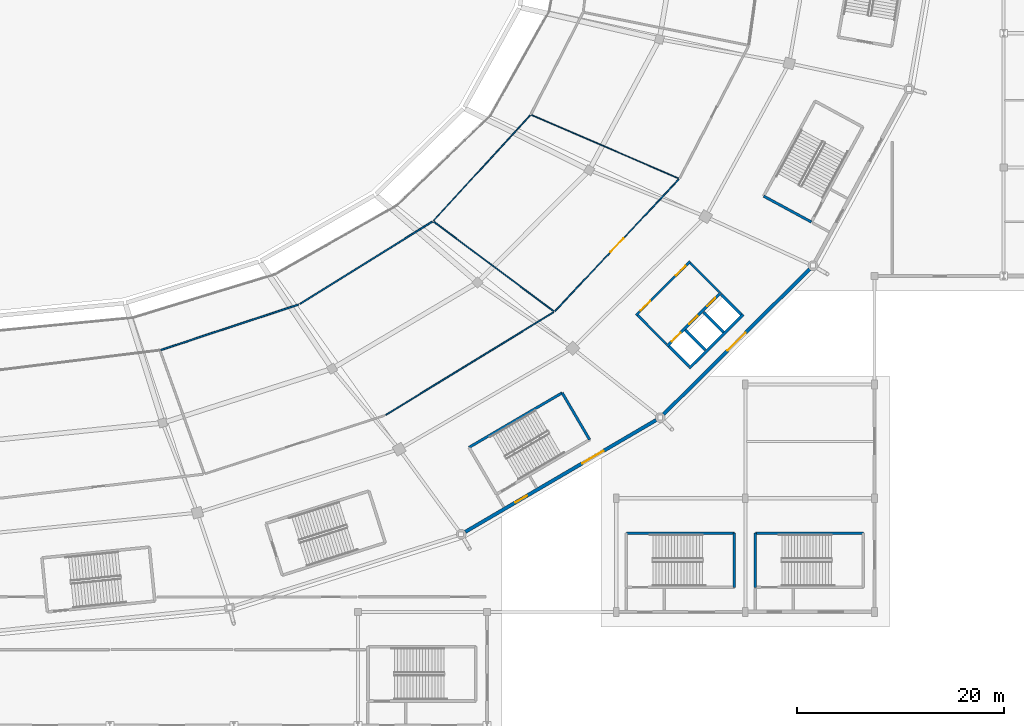
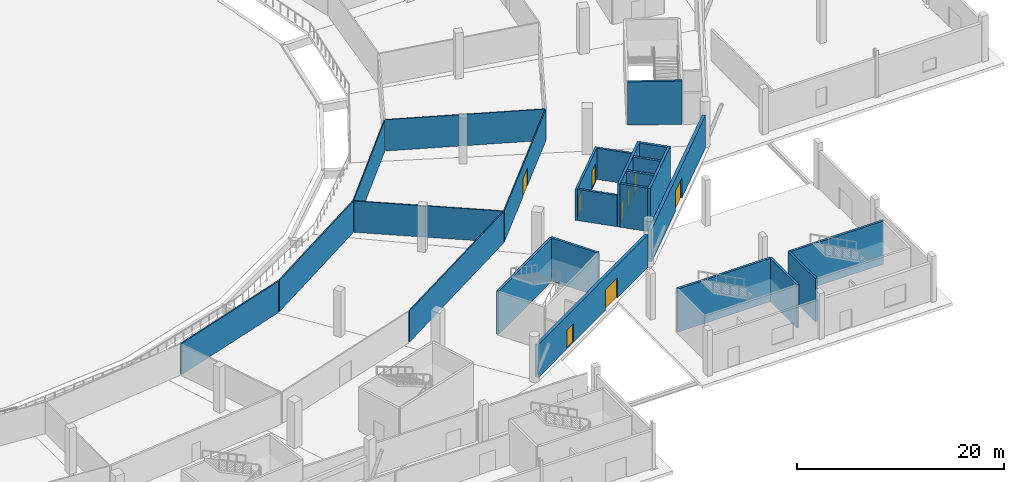
# One storey, part 44 of 82: 25 walls, 9 doors, 9 openings.
"""IFC4 building model written with IfcOpenShell, lengths in metres."""

from ifc_helpers import new_model, si_unit, direction, frame, frame_2d, origin, place, context, subcontext, project, spatial, rectangle, extrude, material, layer, layer_set, type_object, element, fill, save


model = new_model("IFC4")

# Units and contexts
model_context = context("Model", 3, precision=1e-05, world=origin(), true_north=direction((0.0, 1.0)))
body_context = subcontext(model_context, "Body", "Model", "MODEL_VIEW")
ifc_project = project(units=[si_unit("LENGTHUNIT", "METRE"), si_unit("AREAUNIT", "SQUARE_METRE"), si_unit("VOLUMEUNIT", "CUBIC_METRE"), si_unit("PLANEANGLEUNIT", "RADIAN"), si_unit("MASSUNIT", "GRAM", prefix="KILO")], contexts=[model_context])

# Site, building, storey
site_placement = place(None, origin())
site = spatial("IfcSite", under=ifc_project, at=site_placement, CompositionType="ELEMENT")
building_placement = place(site_placement, origin())
building = spatial("IfcBuilding", under=site, at=building_placement, Name="Zlatoyarsky Gate Stadium", CompositionType="ELEMENT")
storey_placement = place(building_placement, origin())
storey = spatial("IfcBuildingStorey", under=building, at=storey_placement, Name="L00", CompositionType="ELEMENT", Elevation=0.0)

# Wall, opening, door
ifc_material_1 = material(Name="Anodised aluminium acoustic operable wall", Category="aluminium")
ifc_layer_1 = layer(ifc_material_1, 0.114990234375)
ifc_layer_set_1 = layer_set([ifc_layer_1], Name="Anodised aluminium acoustic operable wall")
wall_type_1 = type_object("IfcWallType", Name="ACOUSTIC OPERABLE SUITE WALL 115", PredefinedType="MOVABLE", material=ifc_layer_set_1)
wall_1_placement = place(storey_placement, frame((166.573486328125, 40.102783203125, 0.0), z_axis=(0.0, 0.0, 1.0), x_axis=(0.684726890044, 0.72879975717, 0.0)))
wall_1 = element("IfcWall", 1, at=wall_1_placement, inside=storey, type_object=wall_type_1, Name="L00 interior partition PRT-L00-ICC-21", PredefinedType="MOVABLE", context=body_context, shape_type="SweptSolid", body=[
    extrude(rectangle(XDim=17.499267578125, YDim=0.114990234375, at=frame_2d((8.74951171875, 0.0))), origin(), (0.0, 0.0, 1.0), 3.68994140625),
])
opening_1_placement = place(wall_1_placement, frame((7.839599609375, 0.0, 0.0)))
opening_1 = element("IfcOpeningElement", 2, at=opening_1_placement, cuts=wall_1, Name="Opening D-L00-178", PredefinedType="OPENING", context=body_context, shape_type="SweptSolid", body=[
    extrude(rectangle(XDim=1.820068359375, YDim=2.10009765625, at=frame_2d((0.91015625, 1.050048828125))), frame((0.0, 0.0673828125, 0.0), z_axis=(0.0, -1.0, 0.0), x_axis=(1.0, 0.0, 0.0)), (0.0, 0.0, 1.0), 0.135009765625),
])
ifc_material_2 = material(Name="Solid-core oak veneer acoustic door", Category="wood")
door_type_1 = type_object("IfcDoorType", Name="ACOUSTIC INTERIOR DOOR 1820X2100", OperationType="NOTDEFINED", PredefinedType="DOOR", material=ifc_material_2)
door_1_placement = place(opening_1_placement, origin())
door_1 = element("IfcDoor", 3, at=door_1_placement, inside=storey, type_object=door_type_1, Name="L00 room door D-L00-178", OperationType="SINGLE_SWING_LEFT", OverallHeight=2.10009765625, OverallWidth=1.820068359375, PredefinedType="DOOR", context=body_context, shape_type="SweptSolid", body=[
    extrude(rectangle(XDim=1.820068359375, YDim=2.10009765625, at=frame_2d((0.91015625, 1.050048828125))), frame((0.0, 0.02490234375, 0.0), z_axis=(0.0, -1.0, 0.0), x_axis=(1.0, 0.0, 0.0)), (0.0, 0.0, 1.0), 0.050048828125),
])
fill(opening_1, door_1)

# Walls
ifc_material_3 = material(Name="Moisture-resistant masonry partition", Category="masonry")
ifc_layer_2 = layer(ifc_material_3, 0.139892578125)
ifc_layer_set_2 = layer_set([ifc_layer_2], Name="Moisture-resistant masonry partition")
wall_type_2 = type_object("IfcWallType", Name="ATHLETE CHANGING BLOCK PARTITION 140", PredefinedType="PARTITIONING", material=ifc_layer_set_2)
wall_2_placement = place(storey_placement, frame((141.90625, 40.809326171875, 0.0), z_axis=(0.0, 0.0, 1.0), x_axis=(0.849207568822, 0.528059187076, 0.0)))
element("IfcWall", 4, at=wall_2_placement, inside=storey, type_object=wall_type_2, Name="L00 interior partition PRT-L00-IRN-20", PredefinedType="PARTITIONING", context=body_context, shape_type="SweptSolid", body=[
    extrude(rectangle(XDim=15.06884765625, YDim=0.139892578125, at=frame_2d((7.534423828125, 0.0))), origin(), (0.0, 0.0, 1.0), 3.68994140625),
])
ifc_material_4 = material(Name="Metal-stud gypsum partition", Category="gypsum")
ifc_layer_3 = layer(ifc_material_4, 0.14990234375)
ifc_layer_set_3 = layer_set([ifc_layer_3], Name="Metal-stud gypsum partition")
wall_type_3 = type_object("IfcWallType", Name="CONCOURSE CORRIDOR PARTITION 150", PredefinedType="PARTITIONING", material=ifc_layer_set_3)
wall_3_placement = place(storey_placement, frame((128.426025390625, 36.34326171875, 0.0), z_axis=(0.0, 0.0, 1.0), x_axis=(0.949703020297, 0.313151997021, 0.0)))
element("IfcWall", 5, at=wall_3_placement, inside=storey, type_object=wall_type_3, Name="L00 interior partition PRT-L00-IRN-19", PredefinedType="PARTITIONING", context=body_context, shape_type="SweptSolid", body=[
    extrude(rectangle(XDim=14.033203125, YDim=0.14990234375, at=frame_2d((7.0166015625, 0.0))), origin(), (0.0, 0.0, 1.0), 3.68994140625),
])
ifc_material_5 = material(Name="Concrete C40/50", Category="concrete")
ifc_layer_4 = layer(ifc_material_5, 0.27001953125)
ifc_layer_set_4 = layer_set([ifc_layer_4], Name="Concrete C40/50")
wall_type_4 = type_object("IfcWallType", Name="CONCRETE LIFT SHAFT SHEAR WALL 270", PredefinedType="SHEAR", material=ifc_layer_set_4)
wall_4_placement = place(storey_placement, frame((179.547119140625, 34.556396484375, 0.0), z_axis=(0.0, 0.0, 1.0), x_axis=(0.708902567846, 0.705306422274, 0.0)))
element("IfcWall", 6, at=wall_4_placement, inside=storey, type_object=wall_type_4, Name="C4 L00 lift shaft rear wall", PredefinedType="SHEAR", context=body_context, shape_type="SweptSolid", body=[
    extrude(rectangle(XDim=7.39990234375, YDim=0.27001953125, at=frame_2d((3.699951171875, 0.0))), origin(), (0.0, 0.0, 1.0), 5.10009765625),
])
for number, where, z_axis, x_axis, name in (
    (7, (179.54052734375, 34.75439453125, 0.0), (0.0, 0.0, 1.0), (-0.705322518225, 0.708886553183, 0.0), "C4 L00 lift shaft left wall"),
    (8, (184.594970703125, 39.783203125, 0.0), (0.0, 0.0, 1.0), (-0.705322518225, 0.708886553183, 0.0), "C4 L00 lift shaft right wall"),
    (9, (181.12841796875, 36.334228515625, 0.0), (0.0, 0.0, 1.0), (-0.705322518225, 0.708886553183, 0.0), "C4 L00 lift shaft divider 1"),
    (10, (182.865234375, 38.062255859375, 0.0), (0.0, 0.0, 1.0), (-0.705322518225, 0.708886553183, 0.0), "C4 L00 lift shaft divider 2"),
):
    element("IfcWall", number, at=place(storey_placement, frame(where, z_axis=z_axis, x_axis=x_axis)), inside=storey, type_object=wall_type_4, Name=name, PredefinedType="SHEAR", context=body_context, shape_type="SweptSolid", body=[
        extrude(rectangle(XDim=2.739990234375, YDim=0.27001953125, at=frame_2d((1.3701171875, 0.0))), origin(), (0.0, 0.0, 1.0), 5.10009765625),
    ])

# Wall, openings, doors
wall_5_placement = place(storey_placement, frame((177.409912109375, 36.704345703125, 0.0), z_axis=(0.0, 0.0, 1.0), x_axis=(0.708918979457, 0.705289926602, 0.0)))
wall_5 = element("IfcWall", 11, at=wall_5_placement, inside=storey, type_object=wall_type_4, Name="C4 L00 lift landing front wall", PredefinedType="SHEAR", context=body_context, shape_type="SweptSolid", body=[
    extrude(rectangle(XDim=7.400146484375, YDim=0.27001953125, at=frame_2d((3.7001953125, 0.0))), origin(), (0.0, 0.0, 1.0), 5.10009765625),
])
opening_2_placement = place(wall_5_placement, frame((0.64990234375, 0.0, 0.0)))
opening_2 = element("IfcOpeningElement", 12, at=opening_2_placement, cuts=wall_5, Name="Opening LD-FL-04-L00", PredefinedType="OPENING", context=body_context, shape_type="SweptSolid", body=[
    extrude(rectangle(XDim=1.199951171875, YDim=2.25, at=frame_2d((0.60009765625, 1.125))), frame((0.0, 0.14501953125, 0.0), z_axis=(0.0, -1.0, 0.0), x_axis=(1.0, 0.0, 0.0)), (0.0, 0.0, 1.0), 0.2900390625),
])
opening_3_placement = place(wall_5_placement, frame((3.050048828125, 0.0, 0.0)))
opening_3 = element("IfcOpeningElement", 13, at=opening_3_placement, cuts=wall_5, Name="Opening LD-LF-07-L00", PredefinedType="OPENING", context=body_context, shape_type="SweptSolid", body=[
    extrude(rectangle(XDim=1.10009765625, YDim=2.199951171875, at=frame_2d((0.550048828125, 1.10009765625))), frame((0.0, 0.14501953125, 0.0), z_axis=(0.0, -1.0, 0.0), x_axis=(1.0, 0.0, 0.0)), (0.0, 0.0, 1.0), 0.2900390625),
])
opening_4_placement = place(wall_5_placement, frame((5.5, 0.0, 0.0)))
opening_4 = element("IfcOpeningElement", 14, at=opening_4_placement, cuts=wall_5, Name="Opening LD-LF-08-L00", PredefinedType="OPENING", context=body_context, shape_type="SweptSolid", body=[
    extrude(rectangle(XDim=1.10009765625, YDim=2.199951171875, at=frame_2d((0.550048828125, 1.10009765625))), frame((0.0, 0.14501953125, 0.0), z_axis=(0.0, -1.0, 0.0), x_axis=(1.0, 0.0, 0.0)), (0.0, 0.0, 1.0), 0.2900390625),
])
ifc_material_6 = material(Name="Powder-coated steel fire door", Category="steel")
door_type_2 = type_object("IfcDoorType", Name="STAINLESS LIFT LANDING SLIDING DOOR 1100X2200", OperationType="DOUBLE_DOOR_SLIDING", PredefinedType="DOOR", material=ifc_material_6)
door_2_placement = place(opening_3_placement, origin())
door_2 = element("IfcDoor", 15, at=door_2_placement, inside=storey, type_object=door_type_2, Name="Lift LF-07 L00 sliding landing door", OperationType="DOUBLE_DOOR_SLIDING", OverallHeight=2.199951171875, OverallWidth=1.10009765625, PredefinedType="DOOR", context=body_context, shape_type="SweptSolid", body=[
    extrude(rectangle(XDim=1.10009765625, YDim=2.199951171875, at=frame_2d((0.550048828125, 1.10009765625))), frame((0.0, 0.02490234375, 0.0), z_axis=(0.0, -1.0, 0.0), x_axis=(1.0, 0.0, 0.0)), (0.0, 0.0, 1.0), 0.050048828125),
])
fill(opening_3, door_2)
door_3_placement = place(opening_4_placement, origin())
door_3 = element("IfcDoor", 16, at=door_3_placement, inside=storey, type_object=door_type_2, Name="Lift LF-08 L00 sliding landing door", OperationType="DOUBLE_DOOR_SLIDING", OverallHeight=2.199951171875, OverallWidth=1.10009765625, PredefinedType="DOOR", context=body_context, shape_type="SweptSolid", body=[
    extrude(rectangle(XDim=1.10009765625, YDim=2.199951171875, at=frame_2d((0.550048828125, 1.10009765625))), frame((0.0, 0.02490234375, 0.0), z_axis=(0.0, -1.0, 0.0), x_axis=(1.0, 0.0, 0.0)), (0.0, 0.0, 1.0), 0.050048828125),
])
fill(opening_4, door_3)
door_type_3 = type_object("IfcDoorType", Name="STAINLESS LIFT LANDING SLIDING DOOR 1200X2250", OperationType="DOUBLE_DOOR_SLIDING", PredefinedType="DOOR", material=ifc_material_6)
door_4_placement = place(opening_2_placement, origin())
door_4 = element("IfcDoor", 17, at=door_4_placement, inside=storey, type_object=door_type_3, Name="Lift FL-04 L00 sliding landing door", OperationType="DOUBLE_DOOR_SLIDING", OverallHeight=2.25, OverallWidth=1.199951171875, PredefinedType="DOOR", context=body_context, shape_type="SweptSolid", body=[
    extrude(rectangle(XDim=1.199951171875, YDim=2.25, at=frame_2d((0.60009765625, 1.125))), frame((0.0, 0.02490234375, 0.0), z_axis=(0.0, -1.0, 0.0), x_axis=(1.0, 0.0, 0.0)), (0.0, 0.0, 1.0), 0.050048828125),
])
fill(opening_2, door_4)

# Walls
ifc_layer_5 = layer(ifc_material_5, 0.25)
ifc_layer_set_5 = layer_set([ifc_layer_5], Name="Concrete C40/50")
wall_type_5 = type_object("IfcWallType", Name="CONCRETE STAIR CORE SHEAR WALL 250", PredefinedType="SHEAR", material=ifc_layer_set_5)
wall_6_placement = place(storey_placement, frame((169.923828125, 27.668212890625, 0.0), z_axis=(0.0, 0.0, 1.0), x_axis=(-0.505474830399, 0.862841350327, 0.0)))
element("IfcWall", 18, at=wall_6_placement, inside=storey, type_object=wall_type_5, Name="ST-11 L00 stair core far shear wall", PredefinedType="SHEAR", context=body_context, shape_type="SweptSolid", body=[
    extrude(rectangle(XDim=5.250244140625, YDim=0.25, at=frame_2d((2.625, 0.0))), origin(), (0.0, 0.0, 1.0), 5.10009765625),
])
wall_7_placement = place(storey_placement, frame((167.27001953125, 32.1982421875, 0.0), z_axis=(0.0, 0.0, 1.0), x_axis=(-0.862838527648, -0.505479648657, 0.0)))
element("IfcWall", 19, at=wall_7_placement, inside=storey, type_object=wall_type_5, Name="ST-11 L00 stair core right shear wall", PredefinedType="SHEAR", context=body_context, shape_type="SweptSolid", body=[
    extrude(rectangle(XDim=10.449951171875, YDim=0.25, at=frame_2d((5.22509765625, 0.0))), origin(), (0.0, 0.0, 1.0), 5.10009765625),
])
for number, where, z_axis, x_axis, name in (
    (20, (186.770263671875, 51.235107421875, 0.0), (0.0, 0.0, 1.0), (0.878941993928, -0.476928685769, 0.0), "ST-12 L00 stair core entrance shear wall"),
    (21, (183.925048828125, 13.375, 0.0), (0.0, 0.0, 1.0), (0.0, 1.0, 0.0), "ST-23 L00 stair core far shear wall"),
):
    element("IfcWall", number, at=place(storey_placement, frame(where, z_axis=z_axis, x_axis=x_axis)), inside=storey, type_object=wall_type_5, Name=name, PredefinedType="SHEAR", context=body_context, shape_type="SweptSolid", body=[
        extrude(rectangle(XDim=5.25, YDim=0.25, at=frame_2d((2.625, 0.0))), origin(), (0.0, 0.0, 1.0), 5.10009765625),
    ])
wall_8_placement = place(storey_placement, frame((183.925048828125, 18.625, 0.0), z_axis=(0.0, 0.0, 1.0), x_axis=(-1.0, 0.0, 0.0)))
element("IfcWall", 22, at=wall_8_placement, inside=storey, type_object=wall_type_5, Name="ST-23 L00 stair core right shear wall", PredefinedType="SHEAR", context=body_context, shape_type="SweptSolid", body=[
    extrude(rectangle(XDim=10.449951171875, YDim=0.25, at=frame_2d((5.22509765625, 0.0))), origin(), (0.0, 0.0, 1.0), 5.10009765625),
])
wall_9_placement = place(storey_placement, frame((185.97509765625, 18.625, 0.0), z_axis=(0.0, 0.0, 1.0), x_axis=(0.0, -1.0, 0.0)))
element("IfcWall", 23, at=wall_9_placement, inside=storey, type_object=wall_type_5, Name="ST-24 L00 stair core entrance shear wall", PredefinedType="SHEAR", context=body_context, shape_type="SweptSolid", body=[
    extrude(rectangle(XDim=5.25, YDim=0.25, at=frame_2d((2.625, 0.0))), origin(), (0.0, 0.0, 1.0), 5.10009765625),
])
wall_10_placement = place(storey_placement, frame((196.425048828125, 18.625, 0.0), z_axis=(0.0, 0.0, 1.0), x_axis=(-1.0, 0.0, 0.0)))
element("IfcWall", 24, at=wall_10_placement, inside=storey, type_object=wall_type_5, Name="ST-24 L00 stair core right shear wall", PredefinedType="SHEAR", context=body_context, shape_type="SweptSolid", body=[
    extrude(rectangle(XDim=10.449951171875, YDim=0.25, at=frame_2d((5.22509765625, 0.0))), origin(), (0.0, 0.0, 1.0), 5.10009765625),
])
ifc_material_7 = material(Name="Autoclaved aerated concrete masonry EI 120", Category="masonry")
ifc_layer_6 = layer(ifc_material_7, 0.219970703125)
ifc_layer_set_6 = layer_set([ifc_layer_6], Name="Autoclaved aerated concrete masonry EI 120")
wall_type_6 = type_object("IfcWallType", Name="FIREFIGHTING LOBBY RATED WALL 220", PredefinedType="PARTITIONING", material=ifc_layer_set_6)
for number, where, z_axis, x_axis, name in (
    (25, (177.378662109375, 36.8916015625, 0.0), (0.0, 0.0, 1.0), (-0.705294916294, 0.708914015273, 0.0), "C4 L00 firefighting lobby left wall"),
    (26, (182.468505859375, 41.955810546875, 0.0), (0.0, 0.0, 1.0), (-0.705294916294, 0.708914015273, 0.0), "C4 L00 firefighting lobby right wall"),
):
    element("IfcWall", number, at=place(storey_placement, frame(where, z_axis=z_axis, x_axis=x_axis)), inside=storey, type_object=wall_type_6, Name=name, PredefinedType="PARTITIONING", context=body_context, shape_type="SweptSolid", body=[
        extrude(rectangle(XDim=3.97998046875, YDim=0.219970703125, at=frame_2d((1.989990234375, 0.0))), origin(), (0.0, 0.0, 1.0), 3.68994140625),
    ])

# Wall, openings, doors
wall_11_placement = place(storey_placement, frame((174.416015625, 39.713623046875, 0.0), z_axis=(0.0, 0.0, 1.0), x_axis=(0.708902567846, 0.705306422274, 0.0)))
wall_11 = element("IfcWall", 27, at=wall_11_placement, inside=storey, type_object=wall_type_6, Name="C4 L00 firefighting lobby front wall", PredefinedType="PARTITIONING", context=body_context, shape_type="SweptSolid", body=[
    extrude(rectangle(XDim=7.39990234375, YDim=0.219970703125, at=frame_2d((3.699951171875, 0.0))), origin(), (0.0, 0.0, 1.0), 3.68994140625),
])
opening_5_placement = place(wall_11_placement, frame((0.64990234375, 0.0, 0.0)))
opening_5 = element("IfcOpeningElement", 28, at=opening_5_placement, cuts=wall_11, Name="Opening FD-C4-L00-A", PredefinedType="OPENING", context=body_context, shape_type="SweptSolid", body=[
    extrude(rectangle(XDim=1.300048828125, YDim=2.199951171875, at=frame_2d((0.64990234375, 1.10009765625))), frame((0.0, 0.119873046875, 0.0), z_axis=(0.0, -1.0, 0.0), x_axis=(1.0, 0.0, 0.0)), (0.0, 0.0, 1.0), 0.239990234375),
])
opening_6_placement = place(wall_11_placement, frame((5.449951171875, 0.0, 0.0)))
opening_6 = element("IfcOpeningElement", 29, at=opening_6_placement, cuts=wall_11, Name="Opening FD-C4-L00-B", PredefinedType="OPENING", context=body_context, shape_type="SweptSolid", body=[
    extrude(rectangle(XDim=1.300048828125, YDim=2.199951171875, at=frame_2d((0.64990234375, 1.10009765625))), frame((0.0, 0.119873046875, 0.0), z_axis=(0.0, -1.0, 0.0), x_axis=(1.0, 0.0, 0.0)), (0.0, 0.0, 1.0), 0.239990234375),
])
door_type_4 = type_object("IfcDoorType", Name="FIREFIGHTING LOBBY FIRE DOOR 1300X2200", OperationType="NOTDEFINED", PredefinedType="DOOR", material=ifc_material_6)
door_5_placement = place(opening_5_placement, origin())
door_5 = element("IfcDoor", 30, at=door_5_placement, inside=storey, type_object=door_type_4, Name="C4 L00 firefighting lobby fire door FD-C4-L00-A", OperationType="SINGLE_SWING_LEFT", OverallHeight=2.199951171875, OverallWidth=1.300048828125, PredefinedType="DOOR", context=body_context, shape_type="SweptSolid", body=[
    extrude(rectangle(XDim=1.300048828125, YDim=2.199951171875, at=frame_2d((0.64990234375, 1.10009765625))), frame((0.0, 0.02490234375, 0.0), z_axis=(0.0, -1.0, 0.0), x_axis=(1.0, 0.0, 0.0)), (0.0, 0.0, 1.0), 0.050048828125),
])
fill(opening_5, door_5)
door_6_placement = place(opening_6_placement, origin())
door_6 = element("IfcDoor", 31, at=door_6_placement, inside=storey, type_object=door_type_4, Name="C4 L00 firefighting lobby fire door FD-C4-L00-B", OperationType="SINGLE_SWING_RIGHT", OverallHeight=2.199951171875, OverallWidth=1.300048828125, PredefinedType="DOOR", context=body_context, shape_type="SweptSolid", body=[
    extrude(rectangle(XDim=1.300048828125, YDim=2.199951171875, at=frame_2d((0.64990234375, 1.10009765625))), frame((0.0, 0.02490234375, 0.0), z_axis=(0.0, -1.0, 0.0), x_axis=(1.0, 0.0, 0.0)), (0.0, 0.0, 1.0), 0.050048828125),
])
fill(opening_6, door_6)

# Walls
ifc_material_8 = material(Name="Timber-veneered acoustic operable partition", Category="wood")
ifc_layer_7 = layer(ifc_material_8, 0.094970703125)
ifc_layer_set_7 = layer_set([ifc_layer_7], Name="Timber-veneered acoustic operable partition")
wall_type_7 = type_object("IfcWallType", Name="FOLDING BANQUET SALON WALL 95", PredefinedType="MOVABLE", material=ifc_layer_set_7)
wall_12_placement = place(storey_placement, frame((164.3125, 59.086181640625, 0.0), z_axis=(0.0, 0.0, 1.0), x_axis=(0.9182417826, -0.396020237725, 0.0)))
element("IfcWall", 32, at=wall_12_placement, inside=storey, type_object=wall_type_7, Name="L00 interior partition PRT-L00-IRD-22", PredefinedType="MOVABLE", context=body_context, shape_type="SweptSolid", body=[
    extrude(rectangle(XDim=15.48974609375, YDim=0.094970703125, at=frame_2d((7.744873046875, 0.0))), origin(), (0.0, 0.0, 1.0), 3.68994140625),
])
ifc_layer_8 = layer(ifc_material_4, 0.110107421875)
ifc_layer_set_8 = layer_set([ifc_layer_8], Name="Metal-stud gypsum partition")
wall_type_8 = type_object("IfcWallType", Name="KIOSK SERVICE PARTITION 110", PredefinedType="PARTITIONING", material=ifc_layer_set_8)
wall_13_placement = place(storey_placement, frame((154.843017578125, 48.760498046875, 0.0), z_axis=(0.0, 0.0, 1.0), x_axis=(0.80114132697, -0.59847520769, 0.0)))
element("IfcWall", 33, at=wall_13_placement, inside=storey, type_object=wall_type_8, Name="L00 interior partition PRT-L00-IRD-21", PredefinedType="PARTITIONING", context=body_context, shape_type="SweptSolid", body=[
    extrude(rectangle(XDim=14.484619140625, YDim=0.110107421875, at=frame_2d((7.2421875, 0.0))), origin(), (0.0, 0.0, 1.0), 3.68994140625),
])
ifc_layer_9 = layer(ifc_material_4, 0.10009765625)
ifc_layer_set_9 = layer_set([ifc_layer_9], Name="Metal-stud gypsum partition")
wall_type_9 = type_object("IfcWallType", Name="LIGHT STORAGE PARTITION 100", PredefinedType="PARTITIONING", material=ifc_layer_set_9)
wall_14_placement = place(storey_placement, frame((154.83251953125, 48.8740234375, 0.0), z_axis=(0.0, 0.0, 1.0), x_axis=(0.676107689649, 0.736802817582, 0.0)))
element("IfcWall", 34, at=wall_14_placement, inside=storey, type_object=wall_type_9, Name="L00 interior partition PRT-L00-IRN-21", PredefinedType="PARTITIONING", context=body_context, shape_type="SweptSolid", body=[
    extrude(rectangle(XDim=13.821044921875, YDim=0.10009765625, at=frame_2d((6.91064453125, 0.0))), origin(), (0.0, 0.0, 1.0), 3.68994140625),
])

# Wall, openings, doors
ifc_material_9 = material(Name="Limestone-faced insulated masonry wall", Category="masonry")
ifc_layer_10 = layer(ifc_material_9, 0.340087890625)
ifc_layer_set_10 = layer_set([ifc_layer_10], Name="Limestone-faced insulated masonry wall")
wall_type_10 = type_object("IfcWallType", Name="LIMESTONE GATE PLINTH WALL 340", PredefinedType="STANDARD", material=ifc_layer_set_10)
wall_15_placement = place(storey_placement, frame((157.89697265625, 18.74462890625, 0.0), z_axis=(0.0, 0.0, 1.0), x_axis=(0.862843632099, 0.505470935413, 0.0)))
wall_15 = element("IfcWall", 35, at=wall_15_placement, inside=storey, type_object=wall_type_10, Name="L00 bowl exterior plinth wall sector 20", PredefinedType="STANDARD", context=body_context, shape_type="SweptSolid", body=[
    extrude(rectangle(XDim=21.402587890625, YDim=0.340087890625, at=frame_2d((10.701171875, 0.0))), origin(), (0.0, 0.0, 1.0), 3.85009765625),
])
opening_7_placement = place(wall_15_placement, frame((5.61279296875, 0.0, 0.0)))
opening_7 = element("IfcOpeningElement", 36, at=opening_7_placement, cuts=wall_15, Name="Opening ED-ST11", PredefinedType="OPENING", context=body_context, shape_type="SweptSolid", body=[
    extrude(rectangle(XDim=1.300048828125, YDim=2.199951171875, at=frame_2d((0.64990234375, 1.10009765625))), frame((0.0, 0.179931640625, 0.0), z_axis=(0.0, -1.0, 0.0), x_axis=(1.0, 0.0, 0.0)), (0.0, 0.0, 1.0), 0.360107421875),
])
opening_8_placement = place(wall_15_placement, frame((13.102783203125, 0.0, 0.0)))
opening_8 = element("IfcOpeningElement", 37, at=opening_8_placement, cuts=wall_15, Name="Opening G10", PredefinedType="OPENING", context=body_context, shape_type="SweptSolid", body=[
    extrude(rectangle(XDim=2.39990234375, YDim=2.39990234375, at=frame_2d((1.199951171875, 1.199951171875))), frame((0.0, 0.179931640625, 0.0), z_axis=(0.0, -1.0, 0.0), x_axis=(1.0, 0.0, 0.0)), (0.0, 0.0, 1.0), 0.360107421875),
])
ifc_material_10 = material(Name="Thermally broken powder-coated steel and laminated safety glass", Category="steel")
door_type_5 = type_object("IfcDoorType", Name="PEDESTRIAN FINAL EXIT DOUBLE DOOR 2400X2400", OperationType="DOUBLE_DOOR_SINGLE_SWING", PredefinedType="DOOR", material=ifc_material_10)
door_7_placement = place(opening_8_placement, frame((2.39990234375, 0.0, 0.0), z_axis=(0.0, 0.0, 1.0), x_axis=(-1.0, 0.0, 0.0)))
door_7 = element("IfcDoor", 38, at=door_7_placement, inside=storey, type_object=door_type_5, Name="Pedestrian exit gate G10", OperationType="DOUBLE_DOOR_SINGLE_SWING", OverallHeight=2.39990234375, OverallWidth=2.39990234375, PredefinedType="DOOR", context=body_context, shape_type="SweptSolid", body=[
    extrude(rectangle(XDim=2.39990234375, YDim=2.39990234375, at=frame_2d((1.199951171875, 1.199951171875))), frame((0.0, 0.02490234375, 0.0), z_axis=(0.0, -1.0, 0.0), x_axis=(1.0, 0.0, 0.0)), (0.0, 0.0, 1.0), 0.050048828125),
])
fill(opening_8, door_7)
door_type_6 = type_object("IfcDoorType", Name="STAIR DISCHARGE FIRE EXIT DOOR 1300X2200", OperationType="NOTDEFINED", PredefinedType="DOOR", material=ifc_material_10)
door_8_placement = place(opening_7_placement, frame((1.300048828125, 0.0, 0.0), z_axis=(0.0, 0.0, 1.0), x_axis=(-1.0, 0.0, 0.0)))
door_8 = element("IfcDoor", 39, at=door_8_placement, inside=storey, type_object=door_type_6, Name="Stair discharge fire exit door ED-ST11", OperationType="SINGLE_SWING_RIGHT", OverallHeight=2.199951171875, OverallWidth=1.300048828125, PredefinedType="DOOR", context=body_context, shape_type="SweptSolid", body=[
    extrude(rectangle(XDim=1.300048828125, YDim=2.199951171875, at=frame_2d((0.64990234375, 1.10009765625))), frame((0.0, 0.02490234375, 0.0), z_axis=(0.0, -1.0, 0.0), x_axis=(1.0, 0.0, 0.0)), (0.0, 0.0, 1.0), 0.050048828125),
])
fill(opening_7, door_8)

# Wall, opening, door
wall_16_placement = place(storey_placement, frame((177.0869140625, 30.119873046875, 0.0), z_axis=(0.0, 0.0, 1.0), x_axis=(0.708905356977, 0.705303618911, 0.0)))
wall_16 = element("IfcWall", 40, at=wall_16_placement, inside=storey, type_object=wall_type_10, Name="L00 bowl exterior plinth wall sector 21", PredefinedType="STANDARD", context=body_context, shape_type="SweptSolid", body=[
    extrude(rectangle(XDim=19.928466796875, YDim=0.340087890625, at=frame_2d((9.96435546875, 0.0))), origin(), (0.0, 0.0, 1.0), 3.85009765625),
])
opening_9_placement = place(wall_16_placement, frame((8.7392578125, 0.0, 0.0)))
opening_9 = element("IfcOpeningElement", 41, at=opening_9_placement, cuts=wall_16, Name="Opening G11", PredefinedType="OPENING", context=body_context, shape_type="SweptSolid", body=[
    extrude(rectangle(XDim=2.449951171875, YDim=2.39990234375, at=frame_2d((1.22509765625, 1.199951171875))), frame((0.0, 0.179931640625, 0.0), z_axis=(0.0, -1.0, 0.0), x_axis=(1.0, 0.0, 0.0)), (0.0, 0.0, 1.0), 0.360107421875),
])
door_type_7 = type_object("IfcDoorType", Name="PEDESTRIAN FINAL EXIT DOUBLE DOOR 2450X2400", OperationType="DOUBLE_DOOR_SINGLE_SWING", PredefinedType="DOOR", material=ifc_material_10)
door_9_placement = place(opening_9_placement, frame((2.449951171875, 0.0, 0.0), z_axis=(0.0, 0.0, 1.0), x_axis=(-1.0, 0.0, 0.0)))
door_9 = element("IfcDoor", 42, at=door_9_placement, inside=storey, type_object=door_type_7, Name="Pedestrian exit gate G11", OperationType="DOUBLE_DOOR_SINGLE_SWING", OverallHeight=2.39990234375, OverallWidth=2.449951171875, PredefinedType="DOOR", context=body_context, shape_type="SweptSolid", body=[
    extrude(rectangle(XDim=2.449951171875, YDim=2.39990234375, at=frame_2d((1.22509765625, 1.199951171875))), frame((0.0, 0.02490234375, 0.0), z_axis=(0.0, -1.0, 0.0), x_axis=(1.0, 0.0, 0.0)), (0.0, 0.0, 1.0), 0.050048828125),
])
fill(opening_9, door_9)

# Wall
ifc_layer_11 = layer(ifc_material_4, 0.1201171875)
ifc_layer_set_11 = layer_set([ifc_layer_11], Name="Metal-stud gypsum partition")
wall_type_11 = type_object("IfcWallType", Name="OFFICE AND PRESS PARTITION 120", PredefinedType="PARTITIONING", material=ifc_layer_set_11)
wall_17_placement = place(storey_placement, frame((150.207275390625, 30.06884765625, 0.0), z_axis=(0.0, 0.0, 1.0), x_axis=(0.853141952347, 0.521678837164, 0.0)))
element("IfcWall", 43, at=wall_17_placement, inside=storey, type_object=wall_type_11, Name="L00 interior partition PRT-L00-ICC-20M", PredefinedType="PARTITIONING", context=body_context, shape_type="SweptSolid", body=[
    extrude(rectangle(XDim=19.0302734375, YDim=0.1201171875, at=frame_2d((9.51513671875, 0.0))), origin(), (0.0, 0.0, 1.0), 3.68994140625),
])

save(model, "model.ifc")
